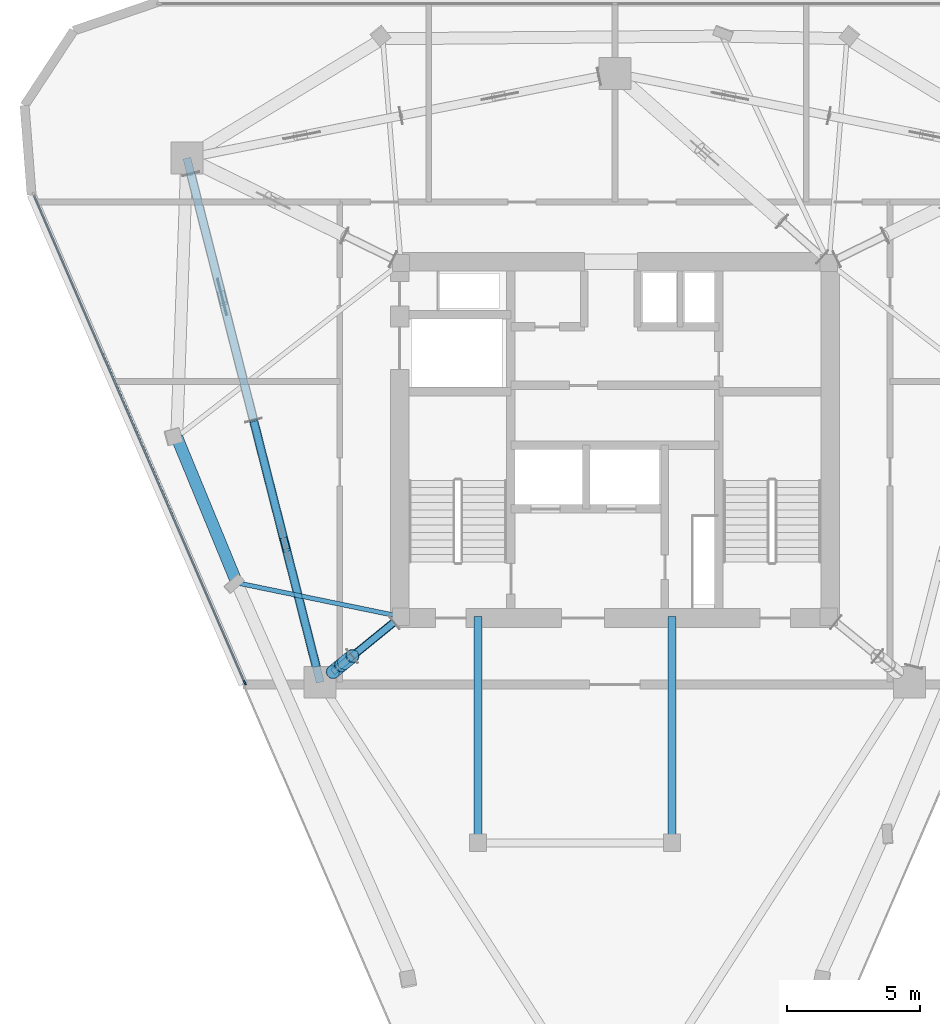
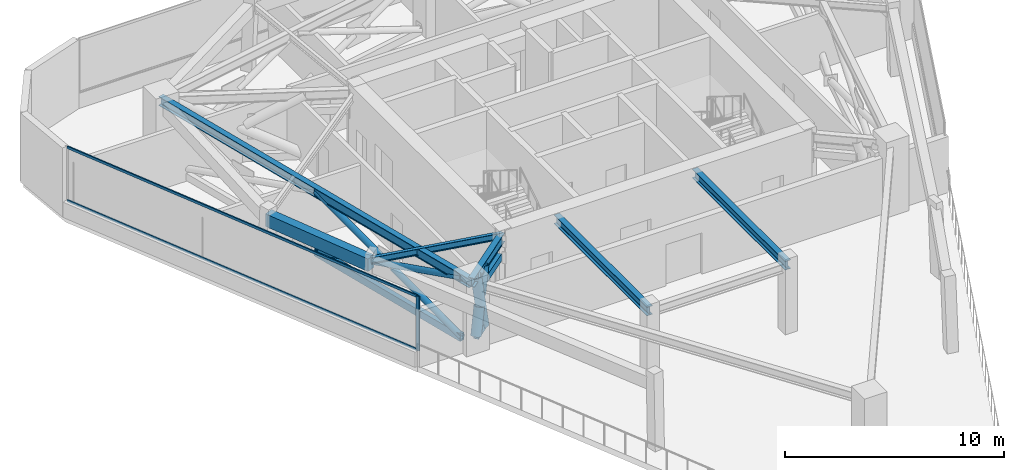
# One storey, part 2 of 10: 15 members, 6 beams, 1 element without a shape of its own.
"""IFC4 building model written with IfcOpenShell, lengths in metres."""

import ifcopenshell
import ifcopenshell.guid

model = None  # the IFC model being written
_history = None  # IfcOwnerHistory: only IFC2X3 demands one
_inside = {}  # id of a spatial element -> (the spatial element, [elements in it])
_under = {}  # id of a project, library or spatial element -> (it, [spatial elements below it])
_declared = {}  # id of a project -> (the project, [libraries it declares])
_typed = {}  # id of a type object -> (the type object, [elements of that type])
_made_of = {}  # id of a material, layer set ... -> (it, [elements and type objects made of it])


def new_model(schema):
    """Start an empty IFC model of exactly this schema.

    Asked for "IFC4X3", IfcOpenShell would pick the latest addendum, in which some entities
    have other attributes; the version numbers below select the first issue.
    IFC2X3 requires an IfcOwnerHistory on every rooted entity: one is made here for all.
    """
    global model, _history
    if schema == "IFC4X3":
        model = ifcopenshell.file(schema_version=(4, 3, 0, 0))
    else:
        model = ifcopenshell.file(schema=schema)
    _inside.clear()
    _under.clear()
    _declared.clear()
    _typed.clear()
    _made_of.clear()
    _history = None
    if model.schema == "IFC2X3":
        org = make("IfcOrganization", Name="unknown")
        user = make(
            "IfcPersonAndOrganization",
            ThePerson=make("IfcPerson", FamilyName="unknown"),
            TheOrganization=org,
        )
        app = make(
            "IfcApplication",
            ApplicationDeveloper=org,
            Version="unknown",
            ApplicationFullName="unknown",
            ApplicationIdentifier="unknown",
        )
        _history = make(
            "IfcOwnerHistory",
            OwningUser=user,
            OwningApplication=app,
            ChangeAction="ADDED",
            CreationDate=0,
        )
    return model


def make(cls, **values):
    """One entity of the class cls with the attributes given. An attribute that is None is left unset."""
    return model.create_entity(
        cls, **{name: value for name, value in values.items() if value is not None}
    )


def rooted(cls, **values):
    """An entity with a GlobalId (a new one), such as an element, a storey or a relation."""
    return make(cls, GlobalId=ifcopenshell.guid.new(), OwnerHistory=_history, **values)


def si_unit(unit_type, name, prefix=None):
    """IfcSIUnit, for example si_unit("LENGTHUNIT", "METRE", prefix="MILLI")."""
    return make("IfcSIUnit", UnitType=unit_type, Prefix=prefix, Name=name)


def assignment(units):
    """IfcUnitAssignment: the units of a project."""
    return None if units is None else make("IfcUnitAssignment", Units=units)


def point(xyz):
    """IfcCartesianPoint."""
    return None if xyz is None else make("IfcCartesianPoint", Coordinates=xyz)


def direction(xyz):
    """IfcDirection."""
    return None if xyz is None else make("IfcDirection", DirectionRatios=xyz)


def frame(location, z_axis=None, x_axis=None):
    """IfcAxis2Placement3D, a coordinate frame: its origin and axes. An axis left out is left unset."""
    return make(
        "IfcAxis2Placement3D",
        Location=point(location),
        Axis=direction(z_axis),
        RefDirection=direction(x_axis),
    )


def frame_2d(location, x_axis=None):
    """IfcAxis2Placement2D, a coordinate frame in the plane: its origin and x axis."""
    return make(
        "IfcAxis2Placement2D", Location=point(location), RefDirection=direction(x_axis)
    )


def origin():
    """The frame at (0, 0, 0) with its axes left unset."""
    return frame((0.0, 0.0, 0.0))


def origin_2d():
    """The frame at (0, 0) in the plane with its x axis left unset."""
    return frame_2d((0.0, 0.0))


def place(relative_to, where):
    """IfcLocalPlacement: puts the frame where relative to a parent placement (None: the world)."""
    return make(
        "IfcLocalPlacement", PlacementRelTo=relative_to, RelativePlacement=where
    )


def context(
    kind, dimensions, precision=None, world=None, true_north=None, identifier=None
):
    """IfcGeometricRepresentationContext, for example the 3D "Model" context."""
    return make(
        "IfcGeometricRepresentationContext",
        ContextIdentifier=identifier,
        ContextType=kind,
        CoordinateSpaceDimension=dimensions,
        Precision=precision,
        WorldCoordinateSystem=world,
        TrueNorth=true_north,
    )


def subcontext(parent, identifier, kind, view, scale=None):
    """IfcGeometricRepresentationSubContext, for example "Body" below "Model"."""
    return make(
        "IfcGeometricRepresentationSubContext",
        ContextIdentifier=identifier,
        ContextType=kind,
        ParentContext=parent,
        TargetScale=scale,
        TargetView=view,
    )


def project(units=None, contexts=None):
    """IfcProject with its units and contexts."""
    return rooted(
        "IfcProject",
        Name="project",
        RepresentationContexts=contexts,
        UnitsInContext=assignment(units),
    )


def spatial(cls, under=None, at=None, **own):
    """A site, building, storey or space (cls), placed at a placement, below another one or the project."""
    s = rooted(cls, ObjectPlacement=at, **own)
    if under is not None:
        _under.setdefault(under.id(), (under, []))[1].append(s)
    return s


def profile(cls, at=None, kind="AREA", **sizes):
    """A parametric profile (cls). Its sizes go by their IFC names, for example OverallWidth=200.0."""
    return make(cls, ProfileType=kind, Position=at, **sizes)


def rectangle(**sizes):
    """IfcRectangleProfileDef."""
    return profile("IfcRectangleProfileDef", **sizes)


def hollow_rectangle(**sizes):
    """IfcRectangleHollowProfileDef."""
    return profile("IfcRectangleHollowProfileDef", **sizes)


def hollow_circle(**sizes):
    """IfcCircleHollowProfileDef."""
    return profile("IfcCircleHollowProfileDef", **sizes)


def i_section(**sizes):
    """IfcIShapeProfileDef."""
    return profile("IfcIShapeProfileDef", **sizes)


def extrude(swept, where, along, depth):
    """IfcExtrudedAreaSolid: the profile swept, set in the frame where, extruded along a direction by depth."""
    return make(
        "IfcExtrudedAreaSolid",
        SweptArea=swept,
        Position=where,
        ExtrudedDirection=direction(along),
        Depth=depth,
    )


def shape(context_of_items, identifier, shape_type, items):
    """IfcShapeRepresentation: the items that make up one representation, for example the "Body"."""
    return make(
        "IfcShapeRepresentation",
        ContextOfItems=context_of_items,
        RepresentationIdentifier=identifier,
        RepresentationType=shape_type,
        Items=items,
    )


def material(Name=None, Category=None):
    """IfcMaterial."""
    return make("IfcMaterial", Name=Name, Category=Category)


def layer(
    of_material, thickness, ventilated=None, Name=None, Category=None, Priority=None
):
    """IfcMaterialLayer: one layer of a wall or slab, of a material (None: an air gap)."""
    return make(
        "IfcMaterialLayer",
        Material=of_material,
        LayerThickness=thickness,
        IsVentilated=ventilated,
        Name=Name,
        Category=Category,
        Priority=Priority,
    )


def layer_set(layers, Name=None):
    """IfcMaterialLayerSet."""
    return make("IfcMaterialLayerSet", MaterialLayers=layers, LayerSetName=Name)


def material_profile(
    of_material, cross_section, Name=None, Category=None, Priority=None
):
    """IfcMaterialProfile: a cross section and its material."""
    return make(
        "IfcMaterialProfile",
        Name=Name,
        Material=of_material,
        Profile=cross_section,
        Priority=Priority,
        Category=Category,
    )


def profile_set(profiles, Name=None, composite=None):
    """IfcMaterialProfileSet."""
    return make(
        "IfcMaterialProfileSet",
        Name=Name,
        MaterialProfiles=profiles,
        CompositeProfile=composite,
    )


def made_of(thing, what):
    """Note that an element or type object is made of a material, layer set ...; save() writes the relation."""
    if what is not None:
        _made_of.setdefault(what.id(), (what, []))[1].append(thing)
    return thing


def type_object(cls, material=None, **own):
    """A type object (cls), such as IfcWallType, which elements share."""
    return made_of(rooted(cls, **own), material)


def element(
    cls,
    number,
    at=None,
    inside=None,
    cuts=None,
    type_object=None,
    material=None,
    context=None,
    identifier="Body",
    shape_type=None,
    held_by="IfcProductDefinitionShape",
    body=None,
    shapes=None,
    **own,
):
    """One element of the class cls, such as IfcWall. Its Tag is "e" and its number.

    at: its placement. inside: the storey or other place that contains it. cuts: it is an
    opening in that element (IfcRelVoidsElement). A single representation is given by context,
    identifier, shape_type and body (its items); several are given by shapes. held_by: the class
    of the entity that holds the representations. save() writes the other relations.
    """
    e = rooted(cls, Tag="e%d" % number, ObjectPlacement=at, **own)
    if body is not None:
        shapes = [shape(context, identifier, shape_type, body)]
    if shapes is not None:
        e.Representation = make(held_by, Representations=shapes)
    if inside is not None:
        _inside.setdefault(inside.id(), (inside, []))[1].append(e)
    if cuts is not None:
        rooted(
            "IfcRelVoidsElement", RelatingBuildingElement=cuts, RelatedOpeningElement=e
        )
    if type_object is not None:
        _typed.setdefault(type_object.id(), (type_object, []))[1].append(e)
    return made_of(e, material)


def aggregate(whole, parts):
    """IfcRelAggregates: a whole, such as a stair, and the parts it consists of."""
    return rooted("IfcRelAggregates", RelatingObject=whole, RelatedObjects=parts)


def save(model, path):
    """Write the relations noted so far, then the file.

    IfcRelAggregates (storeys below a building ...), IfcRelContainedInSpatialStructure (elements
    in a storey), IfcRelDefinesByType, IfcRelAssociatesMaterial and IfcRelDeclares: one each for
    every whole, place, type object, material and project.
    """
    for whole, parts in _under.values():
        aggregate(whole, parts)
    for where, things in _inside.values():
        rooted(
            "IfcRelContainedInSpatialStructure",
            RelatedElements=things,
            RelatingStructure=where,
        )
    for kind, things in _typed.values():
        rooted("IfcRelDefinesByType", RelatedObjects=things, RelatingType=kind)
    for what, things in _made_of.values():
        rooted("IfcRelAssociatesMaterial", RelatedObjects=things, RelatingMaterial=what)
    for by, libraries in _declared.values():
        rooted("IfcRelDeclares", RelatingContext=by, RelatedDefinitions=libraries)
    model.write(path)


model = new_model("IFC4")

# Units and contexts
model_context = context("Model", 3, precision=1e-05, world=origin(), true_north=direction((0.0, 1.0)))
body_context = subcontext(model_context, "Body", "Model", "MODEL_VIEW")
ifc_project = project(units=[si_unit("LENGTHUNIT", "METRE"), si_unit("AREAUNIT", "SQUARE_METRE"), si_unit("VOLUMEUNIT", "CUBIC_METRE"), si_unit("PLANEANGLEUNIT", "RADIAN"), si_unit("MASSUNIT", "GRAM", prefix="KILO")], contexts=[model_context])

# Site, building, storey
site_placement = place(None, origin())
site = spatial("IfcSite", under=ifc_project, at=site_placement, CompositionType="ELEMENT")
building_placement = place(site_placement, origin())
building = spatial("IfcBuilding", under=site, at=building_placement, Name="Talyreon Biosciences Tower", CompositionType="ELEMENT")
storey_placement = place(building_placement, frame((0.0, 0.0, 275.39990234375)))
storey = spatial("IfcBuildingStorey", under=building, at=storey_placement, Name="L73", CompositionType="ELEMENT", Elevation=275.39990234375)

# Members
ifc_material_1 = material(Name="Steel SM355", Category="steel")
ifc_material_profile_1 = material_profile(ifc_material_1, hollow_rectangle(XDim=0.25, YDim=0.39990234375, WallThickness=0.01611328125, at=origin_2d()), Name="RHS 400x250x16")
ifc_profile_set_1 = profile_set([ifc_material_profile_1], Name="Steel SM355")
member_type_1 = type_object("IfcMemberType", Name="BeltChord_RHS400x250", PredefinedType="CHORD", material=ifc_profile_set_1)
for number, where, z_axis, x_axis, name in (
    (1, (57.690185546875, 61.138671875, 3.60009765625), (-0.77578405512, -0.63099849431, 0.0), (0.63099849431, -0.77578405512, 0.0), "L73 Outrigger Core Top Tie 6"),
    (2, (57.690185546875, 61.138671875, 2.7001953125), (-0.77578405512, -0.63099849431, 0.0), (0.63099849431, -0.77578405512, 0.0), "L73 Outrigger Core Plenum Tie 6"),
):
    element("IfcMember", number, at=place(storey_placement, frame(where, z_axis=z_axis, x_axis=x_axis)), inside=storey, type_object=member_type_1, Name=name, PredefinedType="CHORD", context=body_context, shape_type="SweptSolid", body=[
        extrude(hollow_rectangle(XDim=0.25, YDim=0.39990234375, WallThickness=0.01611328125, at=origin_2d()), origin(), (0.0, 0.0, 1.0), 2.01513671875),
    ])
for number, where, z_axis, x_axis, name in (
    (3, (56.126953125, 59.8671875, 0.239990234375), (-0.77582422819, -0.630949100128, 0.0), (0.630949100128, -0.77582422819, 0.0), "L73 Truss Bottom Chord OUT-L73-R6"),
    (4, (56.126953125, 59.8671875, 3.60009765625), (-0.77582422819, -0.630949100128, 0.0), (0.630949100128, -0.77582422819, 0.0), "L73 Truss Top Chord OUT-L73-R6"),
):
    element("IfcMember", number, at=place(storey_placement, frame(where, z_axis=z_axis, x_axis=x_axis)), inside=storey, type_object=member_type_1, Name=name, PredefinedType="CHORD", context=body_context, shape_type="SweptSolid", body=[
        extrude(hollow_rectangle(XDim=0.25, YDim=0.39990234375, WallThickness=0.01611328125, at=origin_2d()), origin(), (0.0, 0.0, 1.0), 0.953857421875),
    ])
for number, where, z_axis, x_axis, name in (
    (5, (52.40576171875, 68.739501953125, 0.239990234375), (0.246540216186, -0.969132561522, 0.0), (0.969132561522, 0.246540216186, 0.0), "L73 Truss Bottom Chord BELT-L73-B5S2"),
    (6, (52.40576171875, 68.739501953125, 3.60009765625), (0.246540216186, -0.969132561522, 0.0), (0.969132561522, 0.246540216186, 0.0), "L73 Truss Top Chord BELT-L73-B5S2"),
):
    element("IfcMember", number, at=place(storey_placement, frame(where, z_axis=z_axis, x_axis=x_axis)), inside=storey, type_object=member_type_1, Name=name, PredefinedType="CHORD", context=body_context, shape_type="SweptSolid", body=[
        extrude(hollow_rectangle(XDim=0.25, YDim=0.39990234375, WallThickness=0.01611328125, at=origin_2d()), origin(), (0.0, 0.0, 1.0), 9.56298828125),
    ])

# Curtain wall, members
ifc_material_2 = material(Name="Thermally broken aluminium and low-E glazing", Category="aluminium")
ifc_layer = layer(ifc_material_2, 0.175048828125)
ifc_layer_set = layer_set([ifc_layer], Name="Thermally broken aluminium and low-E glazing")
curtain_wall_type = type_object("IfcCurtainWallType", Name="CurtainWall_Zone5CompLab", PredefinedType="NOTDEFINED", material=ifc_layer_set)
curtain_wall_placement = place(storey_placement, origin())
curtain_wall = element("IfcCurtainWall", 7, at=curtain_wall_placement, inside=storey, type_object=curtain_wall_type, Name="L73 Unitised Curtain Wall FCW-L73-09", PredefinedType="NOTDEFINED")
ifc_material_3 = material(Name="Anodised thermally broken aluminium", Category="aluminium")
ifc_material_profile_2 = material_profile(ifc_material_3, rectangle(XDim=0.06494140625, YDim=0.179931640625, at=origin_2d()), Name="ALUM MULLION 65x180")
ifc_profile_set_2 = profile_set([ifc_material_profile_2], Name="Anodised thermally broken aluminium")
member_type_2 = type_object("IfcMemberType", Name="CWMullion_65x180", PredefinedType="MULLION", material=ifc_profile_set_2)
member_1_placement = place(storey_placement, frame((52.07958984375, 58.861572265625, 0.81005859375), z_axis=(0.0, 0.0, 1.0), x_axis=(-0.917866750058, -0.39688868608, 0.0)))
member_1 = element("IfcMember", 8, at=member_1_placement, type_object=member_type_2, Name="CW6 mullion 1", PredefinedType="MULLION", context=body_context, shape_type="SweptSolid", body=[
    extrude(rectangle(XDim=0.06494140625, YDim=0.179931640625, at=origin_2d()), origin(), (0.0, 0.0, 1.0), 3.0400390625),
])
ifc_material_profile_3 = material_profile(ifc_material_3, rectangle(XDim=0.06494140625, YDim=0.139892578125, at=origin_2d()), Name="ALUM TRANSOM 65x140")
ifc_profile_set_3 = profile_set([ifc_material_profile_3], Name="Anodised thermally broken aluminium")
member_type_3 = type_object("IfcMemberType", Name="CWTransom_65x140", PredefinedType="USERDEFINED", material=ifc_profile_set_3)
member_2_placement = place(storey_placement, frame((52.066650390625, 58.891357421875, 0.842529296875), z_axis=(-0.396894980277, 0.9178640284, 0.0), x_axis=(-0.9178640284, -0.396894980277, 0.0)))
member_2 = element("IfcMember", 9, at=member_2_placement, type_object=member_type_3, Name="CW6 transom 1.1", ObjectType="TRANSOM", PredefinedType="USERDEFINED", context=body_context, shape_type="SweptSolid", body=[
    extrude(rectangle(XDim=0.06494140625, YDim=0.139892578125, at=origin_2d()), origin(), (0.0, 0.0, 1.0), 19.938720703125),
])
member_3_placement = place(storey_placement, frame((52.066650390625, 58.891357421875, 3.817626953125), z_axis=(-0.396894980277, 0.9178640284, 0.0), x_axis=(-0.9178640284, -0.396894980277, 0.0)))
member_3 = element("IfcMember", 10, at=member_3_placement, type_object=member_type_3, Name="CW6 transom 1.2", ObjectType="TRANSOM", PredefinedType="USERDEFINED", context=body_context, shape_type="SweptSolid", body=[
    extrude(rectangle(XDim=0.06494140625, YDim=0.139892578125, at=origin_2d()), origin(), (0.0, 0.0, 1.0), 19.938720703125),
])
aggregate(curtain_wall, [member_1, member_2, member_3])

# Beam
ifc_material_4 = material(Name="Precast concrete C45/55", Category="concrete")
ifc_material_profile_4 = material_profile(ifc_material_4, rectangle(XDim=0.449951171875, YDim=0.699951171875, at=origin_2d()), Name="RCB 450x700")
ifc_profile_set_4 = profile_set([ifc_material_profile_4], Name="Precast concrete C45/55")
beam_type_1 = type_object("IfcBeamType", Name="ExpressedSpandrel_450x700", PredefinedType="SPANDREL", material=ifc_profile_set_4)
beam_1_placement = place(storey_placement, frame((49.51708984375, 68.10400390625, 3.5), z_axis=(0.381124621329, -0.924523673584, 0.0), x_axis=(0.924523673584, 0.381124621329, 0.0)))
element("IfcBeam", 11, at=beam_1_placement, inside=storey, type_object=beam_type_1, Name="L73 Expressed Horizontal Concrete Spandrel 10", PredefinedType="SPANDREL", context=body_context, shape_type="SweptSolid", body=[
    extrude(rectangle(XDim=0.449951171875, YDim=0.699951171875, at=origin_2d()), origin(), (0.0, 0.0, 1.0), 5.92919921875),
])

# Members
ifc_material_profile_5 = material_profile(ifc_material_1, hollow_circle(Radius=0.25390625, WallThickness=0.02001953125, at=origin_2d()), Name="CHS 508x20")
ifc_profile_set_5 = profile_set([ifc_material_profile_5], Name="Steel SM355")
member_type_4 = type_object("IfcMemberType", Name="OutriggerBrace_CHS508", PredefinedType="BRACE", material=ifc_profile_set_5)
member_4_placement = place(storey_placement, frame((56.126953125, 59.8671875, 0.239990234375), z_axis=(-0.211857904772, -0.172296184514, 0.961992854957), x_axis=(0.630949100128, -0.77582422819, 0.0)))
element("IfcMember", 12, at=member_4_placement, inside=storey, type_object=member_type_4, Name="L73 Continuous Diagonal OUT-L73-R6A", PredefinedType="BRACE", context=body_context, shape_type="SweptSolid", body=[
    extrude(hollow_circle(Radius=0.25390625, WallThickness=0.02001953125, at=origin_2d()), origin(), (0.0, 0.0, 1.0), 3.492919921875),
])
for number, where, z_axis, x_axis, name in (
    (13, (55.386962890625, 59.265380859375, 0.239990234375), (0.211940017924, 0.172315725492, 0.961971267529), (-0.630845001454, 0.775908876184, 0.0), "L73 Split Diagonal OUT-L73-R6B-Lower"),
    (14, (55.81640625, 59.614501953125, 2.189453125), (0.211780999317, 0.172321803689, 0.962005199727), (-0.631143438811, 0.775666139293, 0.0), "L73 Split Diagonal OUT-L73-R6B-Upper"),
):
    element("IfcMember", number, at=place(storey_placement, frame(where, z_axis=z_axis, x_axis=x_axis)), inside=storey, type_object=member_type_4, Name=name, PredefinedType="BRACE", context=body_context, shape_type="SweptSolid", body=[
        extrude(hollow_circle(Radius=0.25390625, WallThickness=0.02001953125, at=origin_2d()), origin(), (0.0, 0.0, 1.0), 1.46630859375),
    ])
ifc_material_profile_6 = material_profile(ifc_material_1, hollow_circle(Radius=0.161865234375, WallThickness=0.012451171875, at=origin_2d()), Name="CHS 323.9x12.5")
ifc_profile_set_6 = profile_set([ifc_material_profile_6], Name="Steel SM355")
member_type_5 = type_object("IfcMemberType", Name="PortalBrace_CHS324", PredefinedType="BRACE", material=ifc_profile_set_6)
member_5_placement = place(storey_placement, frame((52.40576171875, 68.739501953125, 0.239990234375), z_axis=(0.232599864948, -0.914334003655, 0.331497560452), x_axis=(0.969132561522, 0.246540216186, 0.0)))
element("IfcMember", 15, at=member_5_placement, inside=storey, type_object=member_type_5, Name="L73 Continuous Diagonal BELT-L73-B5S2A", PredefinedType="BRACE", context=body_context, shape_type="SweptSolid", body=[
    extrude(hollow_circle(Radius=0.161865234375, WallThickness=0.012451171875, at=origin_2d()), origin(), (0.0, 0.0, 1.0), 10.13623046875),
])
for number, where, z_axis, x_axis, name in (
    (16, (54.763427734375, 59.4716796875, 0.239990234375), (-0.232608474613, 0.91432160604, 0.33152571283), (-0.969129582309, -0.246551926974, 0.0), "L73 Split Diagonal BELT-L73-B5S2B-Lower"),
    (17, (53.51953125, 64.361572265625, 2.012939453125), (-0.232612406405, 0.914337060864, 0.331480327497), (-0.969129582309, -0.246551926974, 0.0), "L73 Split Diagonal BELT-L73-B5S2B-Upper"),
):
    element("IfcMember", number, at=place(storey_placement, frame(where, z_axis=z_axis, x_axis=x_axis)), inside=storey, type_object=member_type_5, Name=name, PredefinedType="BRACE", context=body_context, shape_type="SweptSolid", body=[
        extrude(hollow_circle(Radius=0.161865234375, WallThickness=0.012451171875, at=origin_2d()), origin(), (0.0, 0.0, 1.0), 4.7880859375),
    ])

# Beams
ifc_material_profile_7 = material_profile(ifc_material_1, i_section(OverallWidth=0.300048828125, OverallDepth=0.5, WebThickness=0.014404296875, FlangeThickness=0.028076171875, FilletRadius=0.027099609375, at=origin_2d()), Name="HE500B")
ifc_profile_set_7 = profile_set([ifc_material_profile_7], Name="Steel SM355")
beam_type_2 = type_object("IfcBeamType", Name="SteelBeam_HE500B", PredefinedType="BEAM", material=ifc_profile_set_7)
beam_2_placement = place(storey_placement, frame((49.897705078125, 78.5986328125, 3.60009765625), z_axis=(0.246537082299, -0.969133358755, 0.0), x_axis=(0.969133358755, 0.246537082299, 0.0)))
element("IfcBeam", 18, at=beam_2_placement, inside=storey, type_object=beam_type_2, Name="L73 Mega-Ring Girder 5", PredefinedType="BEAM", context=body_context, shape_type="SweptSolid", body=[
    extrude(i_section(OverallWidth=0.300048828125, OverallDepth=0.5, WebThickness=0.014404296875, FlangeThickness=0.028076171875, FilletRadius=0.027099609375, at=origin_2d()), origin(), (0.0, 0.0, 1.0), 20.34619140625),
])
beam_3_placement = place(storey_placement, frame((57.949951171875, 61.35009765625, 3.60009765625), z_axis=(-0.775755154013, -0.631034025249, 0.0), x_axis=(0.631034025249, -0.775755154013, 0.0)))
element("IfcBeam", 19, at=beam_3_placement, inside=storey, type_object=beam_type_2, Name="L73 Radial Primary Girder 6", PredefinedType="BEAM", context=body_context, shape_type="SweptSolid", body=[
    extrude(i_section(OverallWidth=0.300048828125, OverallDepth=0.5, WebThickness=0.014404296875, FlangeThickness=0.028076171875, FilletRadius=0.027099609375, at=origin_2d()), origin(), (0.0, 0.0, 1.0), 3.913818359375),
])
for number, where, z_axis, x_axis, name in (
    (20, (60.85009765625, 52.840087890625, 3.60009765625), (0.0, 1.0, 0.0), (-1.0, 0.0, 0.0), "L73 Crown Shaft Tie Girder W"),
    (21, (68.14990234375, 52.840087890625, 3.60009765625), (0.0, 1.0, 0.0), (-1.0, 0.0, 0.0), "L73 Crown Shaft Tie Girder E"),
):
    element("IfcBeam", number, at=place(storey_placement, frame(where, z_axis=z_axis, x_axis=x_axis)), inside=storey, type_object=beam_type_2, Name=name, PredefinedType="BEAM", context=body_context, shape_type="SweptSolid", body=[
        extrude(i_section(OverallWidth=0.300048828125, OverallDepth=0.5, WebThickness=0.014404296875, FlangeThickness=0.028076171875, FilletRadius=0.027099609375, at=origin_2d()), origin(), (0.0, 0.0, 1.0), 8.510009765625),
    ])
ifc_material_profile_8 = material_profile(ifc_material_1, i_section(OverallWidth=0.169921875, OverallDepth=0.360107421875, WebThickness=0.008056640625, FlangeThickness=0.0126953125, FilletRadius=0.01806640625, at=origin_2d()), Name="IPE360")
ifc_profile_set_8 = profile_set([ifc_material_profile_8], Name="Steel SM355")
beam_type_3 = type_object("IfcBeamType", Name="SteelJoist_IPE360", PredefinedType="JOIST", material=ifc_profile_set_8)
beam_4_placement = place(storey_placement, frame((57.949951171875, 61.35009765625, 3.670166015625), z_axis=(-0.979416745654, 0.20184855296, 0.0), x_axis=(-0.20184855296, -0.979416745654, 0.0)))
element("IfcBeam", 22, at=beam_4_placement, inside=storey, type_object=beam_type_3, Name="L73 Radial Composite Floor Joist PL-SW", PredefinedType="JOIST", context=body_context, shape_type="SweptSolid", body=[
    extrude(i_section(OverallWidth=0.169921875, OverallDepth=0.360107421875, WebThickness=0.008056640625, FlangeThickness=0.0126953125, FilletRadius=0.01806640625, at=origin_2d()), origin(), (0.0, 0.0, 1.0), 6.302734375),
])

save(model, "model.ifc")
